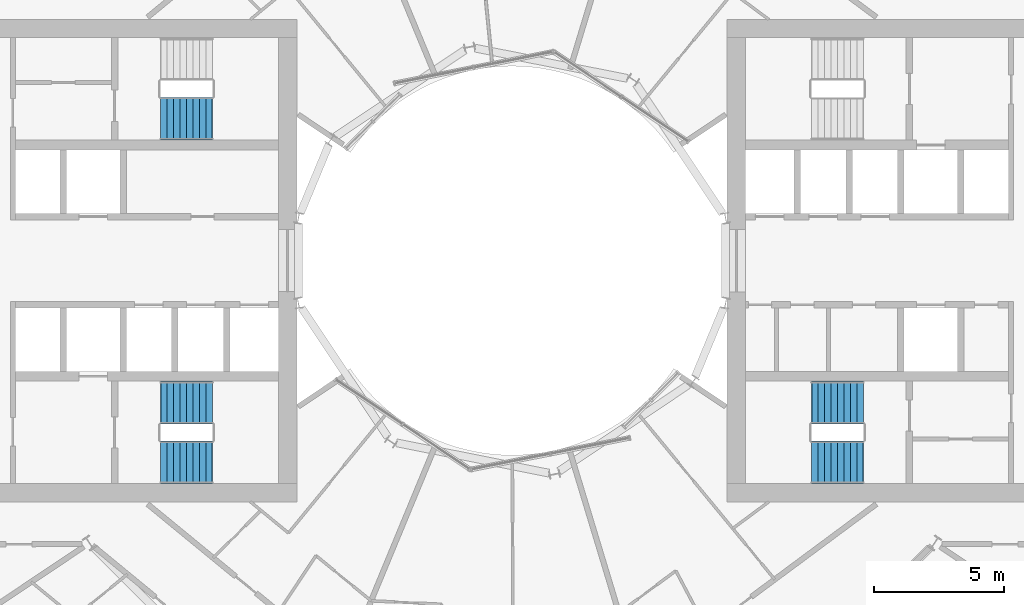
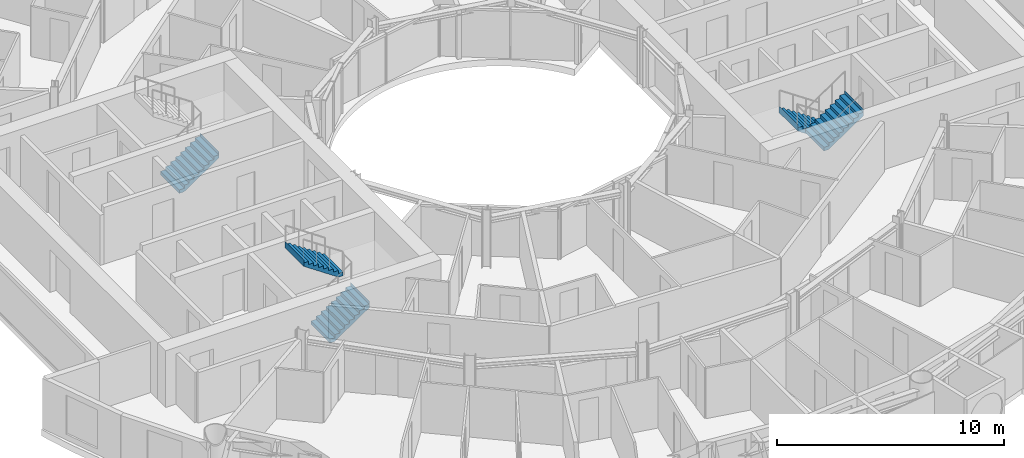
# One storey, part 23 of 26: 5 stair flights, 3 elements without a shape of their own.
"""IFC4 building model written with IfcOpenShell, lengths in metres."""

from ifc_helpers import new_model, si_unit, direction, frame, origin, place, context, subcontext, project, spatial, triangles, material, type_object, element, aggregate, save


model = new_model("IFC4")

# Units and contexts
model_context = context("Model", 3, precision=1e-05, world=origin(), true_north=direction((0.0, 1.0)))
body_context = subcontext(model_context, "Body", "Model", "MODEL_VIEW")
ifc_project = project(units=[si_unit("LENGTHUNIT", "METRE"), si_unit("AREAUNIT", "SQUARE_METRE"), si_unit("VOLUMEUNIT", "CUBIC_METRE"), si_unit("PLANEANGLEUNIT", "RADIAN"), si_unit("MASSUNIT", "GRAM", prefix="KILO")], contexts=[model_context])

# Site, building, storey
site_placement = place(None, origin())
site = spatial("IfcSite", under=ifc_project, at=site_placement, CompositionType="ELEMENT")
building_placement = place(site_placement, origin())
building = spatial("IfcBuilding", under=site, at=building_placement, Name="Maasbend Ring Residences", CompositionType="ELEMENT")
storey_placement = place(building_placement, frame((0.0, 0.0, 72.75)))
storey = spatial("IfcBuildingStorey", under=building, at=storey_placement, Name="L20", CompositionType="ELEMENT", Elevation=72.75)

# Stair, stair flights
ifc_material_1 = material(Name="Concrete C40/50", Category="concrete")
stair_type = type_object("IfcStairType", Name="CORE STAIR 18 RISERS", PredefinedType="HALF_TURN_STAIR", material=ifc_material_1)
stair_1_placement = place(storey_placement, origin())
stair_1 = element("IfcStair", 1, at=stair_1_placement, inside=storey, type_object=stair_type, Name="L20 Exit stair ST-E2", PredefinedType="HALF_TURN_STAIR")
ifc_material_2 = material(Name="Concrete C40/50", Category="concrete")
stair_flight_type = type_object("IfcStairFlightType", Name="CORE STAIR FLIGHT 1650", PredefinedType="STRAIGHT", material=ifc_material_2)
stair_flight_1_placement = place(storey_placement, frame((13.550048828125, -5.47509765625, 0.0), z_axis=(0.0, 0.0, 1.0), x_axis=(-1.0, 0.0, 0.0)))
stair_flight_1 = element("IfcStairFlight", 2, at=stair_flight_1_placement, type_object=stair_flight_type, Name="ST-E2 flight 1", NumberOfRisers=9, NumberOfTreads=8, PredefinedType="STRAIGHT", RiserHeight=0.169444444, TreadLength=0.25, context=body_context, shape_type="Tessellation", body=[
    triangles([(0.24072265625, 0.824951171875, -0.02001953125), (2.0029296875, 0.824951171875, 1.174560546875), (2.0029296875, 0.824951171875, 1.52490234375), (1.989990234375, 0.824951171875, 1.35546875), (1.75, 0.824951171875, 1.35546875), (1.75, 0.824951171875, 1.18603515625), (1.5, 0.824951171875, 1.18603515625), (1.5, 0.824951171875, 1.0166015625), (1.25, 0.824951171875, 1.0166015625), (1.25, 0.824951171875, 0.84716796875), (1.0, 0.824951171875, 0.84716796875), (1.0, 0.824951171875, 0.677734375), (0.75, 0.824951171875, 0.677734375), (0.75, 0.824951171875, 0.50830078125), (0.5, 0.824951171875, 0.50830078125), (0.5, 0.824951171875, 0.3388671875), (0.25, 0.824951171875, 0.3388671875), (0.25, 0.824951171875, 0.16943359375), (0.0, 0.824951171875, 0.16943359375), (0.0, 0.824951171875, 0.0), (-0.0029296875, 0.824951171875, 0.0), (-0.0029296875, 0.824951171875, -0.02001953125), (0.24072265625, 0.27490234375, -0.02001953125), (2.0029296875, 0.27490234375, 1.174560546875), (2.0029296875, 0.27490234375, 1.52490234375), (1.989990234375, 0.27490234375, 1.35546875), (1.75, 0.27490234375, 1.35546875), (1.75, 0.27490234375, 1.18603515625), (1.5, 0.27490234375, 1.18603515625), (1.5, 0.27490234375, 1.0166015625), (1.25, 0.27490234375, 1.0166015625), (1.25, 0.27490234375, 0.84716796875), (1.0, 0.27490234375, 0.84716796875), (1.0, 0.27490234375, 0.677734375), (0.75, 0.27490234375, 0.677734375), (0.75, 0.27490234375, 0.50830078125), (0.5, 0.27490234375, 0.50830078125), (0.5, 0.27490234375, 0.3388671875), (0.25, 0.27490234375, 0.3388671875), (0.25, 0.27490234375, 0.16943359375), (0.0, 0.27490234375, 0.16943359375), (0.0, 0.27490234375, 0.0), (-0.0029296875, 0.27490234375, 0.0), (-0.0029296875, 0.27490234375, -0.02001953125), (0.24072265625, -0.27490234375, -0.02001953125), (2.0029296875, -0.27490234375, 1.174560546875), (2.0029296875, -0.27490234375, 1.52490234375), (1.989990234375, -0.27490234375, 1.35546875), (1.75, -0.27490234375, 1.35546875), (1.75, -0.27490234375, 1.18603515625), (1.5, -0.27490234375, 1.18603515625), (1.5, -0.27490234375, 1.0166015625), (1.25, -0.27490234375, 1.0166015625), (1.25, -0.27490234375, 0.84716796875), (1.0, -0.27490234375, 0.84716796875), (1.0, -0.27490234375, 0.677734375), (0.75, -0.27490234375, 0.677734375), (0.75, -0.27490234375, 0.50830078125), (0.5, -0.27490234375, 0.50830078125), (0.5, -0.27490234375, 0.3388671875), (0.25, -0.27490234375, 0.3388671875), (0.25, -0.27490234375, 0.16943359375), (0.0, -0.27490234375, 0.16943359375), (0.0, -0.27490234375, 0.0), (-0.0029296875, -0.27490234375, 0.0), (-0.0029296875, -0.27490234375, -0.02001953125), (0.24072265625, -0.824951171875, -0.02001953125), (2.0029296875, -0.824951171875, 1.174560546875), (2.0029296875, -0.824951171875, 1.52490234375), (1.989990234375, -0.824951171875, 1.35546875), (1.75, -0.824951171875, 1.35546875), (1.75, -0.824951171875, 1.18603515625), (1.5, -0.824951171875, 1.18603515625), (1.5, -0.824951171875, 1.0166015625), (1.25, -0.824951171875, 1.0166015625), (1.25, -0.824951171875, 0.84716796875), (1.0, -0.824951171875, 0.84716796875), (1.0, -0.824951171875, 0.677734375), (0.75, -0.824951171875, 0.677734375), (0.75, -0.824951171875, 0.50830078125), (0.5, -0.824951171875, 0.50830078125), (0.5, -0.824951171875, 0.3388671875), (0.25, -0.824951171875, 0.3388671875), (0.25, -0.824951171875, 0.16943359375), (0.0, -0.824951171875, 0.16943359375), (0.0, -0.824951171875, 0.0), (-0.0029296875, -0.824951171875, 0.0), (-0.0029296875, -0.824951171875, -0.02001953125)], [[1, 2, 24], [1, 24, 23], [23, 24, 46], [23, 46, 45], [45, 46, 68], [45, 68, 67], [2, 3, 25], [2, 25, 24], [24, 25, 47], [24, 47, 46], [46, 47, 69], [46, 69, 68], [3, 4, 26], [3, 26, 25], [25, 26, 48], [25, 48, 47], [47, 48, 70], [47, 70, 69], [4, 5, 27], [4, 27, 26], [26, 27, 49], [26, 49, 48], [48, 49, 71], [48, 71, 70], [5, 6, 28], [5, 28, 27], [27, 28, 50], [27, 50, 49], [49, 50, 72], [49, 72, 71], [6, 7, 29], [6, 29, 28], [28, 29, 51], [28, 51, 50], [50, 51, 73], [50, 73, 72], [7, 8, 30], [7, 30, 29], [29, 30, 52], [29, 52, 51], [51, 52, 74], [51, 74, 73], [8, 9, 31], [8, 31, 30], [30, 31, 53], [30, 53, 52], [52, 53, 75], [52, 75, 74], [9, 10, 32], [9, 32, 31], [31, 32, 54], [31, 54, 53], [53, 54, 76], [53, 76, 75], [10, 11, 33], [10, 33, 32], [32, 33, 55], [32, 55, 54], [54, 55, 77], [54, 77, 76], [11, 12, 34], [11, 34, 33], [33, 34, 56], [33, 56, 55], [55, 56, 78], [55, 78, 77], [12, 13, 35], [12, 35, 34], [34, 35, 57], [34, 57, 56], [56, 57, 79], [56, 79, 78], [13, 14, 36], [13, 36, 35], [35, 36, 58], [35, 58, 57], [57, 58, 80], [57, 80, 79], [14, 15, 37], [14, 37, 36], [36, 37, 59], [36, 59, 58], [58, 59, 81], [58, 81, 80], [15, 16, 38], [15, 38, 37], [37, 38, 60], [37, 60, 59], [59, 60, 82], [59, 82, 81], [16, 17, 39], [16, 39, 38], [38, 39, 61], [38, 61, 60], [60, 61, 83], [60, 83, 82], [17, 18, 40], [17, 40, 39], [39, 40, 62], [39, 62, 61], [61, 62, 84], [61, 84, 83], [18, 19, 41], [18, 41, 40], [40, 41, 63], [40, 63, 62], [62, 63, 85], [62, 85, 84], [19, 20, 42], [19, 42, 41], [41, 42, 64], [41, 64, 63], [63, 64, 86], [63, 86, 85], [20, 21, 43], [20, 43, 42], [42, 43, 65], [42, 65, 64], [64, 65, 87], [64, 87, 86], [21, 22, 44], [21, 44, 43], [43, 44, 66], [43, 66, 65], [65, 66, 88], [65, 88, 87], [22, 1, 23], [22, 23, 44], [44, 23, 45], [44, 45, 66], [66, 45, 67], [66, 67, 88], [22, 2, 1], [2, 4, 3], [2, 5, 4], [2, 6, 5], [22, 6, 2], [6, 8, 7], [22, 8, 6], [8, 10, 9], [22, 10, 8], [10, 12, 11], [22, 12, 10], [12, 14, 13], [22, 14, 12], [14, 16, 15], [22, 16, 14], [16, 18, 17], [22, 18, 16], [18, 20, 19], [22, 20, 18], [20, 22, 21], [88, 67, 68], [68, 69, 70], [68, 70, 71], [68, 71, 72], [88, 68, 72], [72, 73, 74], [88, 72, 74], [74, 75, 76], [88, 74, 76], [76, 77, 78], [88, 76, 78], [78, 79, 80], [88, 78, 80], [80, 81, 82], [88, 80, 82], [82, 83, 84], [88, 82, 84], [84, 85, 86], [88, 84, 86], [86, 87, 88]], closed=True),
])
stair_flight_2_placement = place(storey_placement, frame((11.550048828125, -7.77490234375, 1.52490234375), z_axis=(0.0, 0.0, 1.0), x_axis=(1.0, 0.0, 0.0)))
stair_flight_2 = element("IfcStairFlight", 3, at=stair_flight_2_placement, type_object=stair_flight_type, Name="ST-E2 flight 2", NumberOfRisers=9, NumberOfTreads=8, PredefinedType="STRAIGHT", RiserHeight=0.169444444, TreadLength=0.25, context=body_context, shape_type="Tessellation", body=[
    triangles([(0.24072265625, 0.824951171875, -0.02001953125), (2.0029296875, 0.824951171875, 1.174560546875), (2.0029296875, 0.824951171875, 1.52490234375), (1.989990234375, 0.824951171875, 1.35546875), (1.75, 0.824951171875, 1.35546875), (1.75, 0.824951171875, 1.18603515625), (1.5, 0.824951171875, 1.18603515625), (1.5, 0.824951171875, 1.0166015625), (1.25, 0.824951171875, 1.0166015625), (1.25, 0.824951171875, 0.84716796875), (1.0, 0.824951171875, 0.84716796875), (1.0, 0.824951171875, 0.677734375), (0.75, 0.824951171875, 0.677734375), (0.75, 0.824951171875, 0.50830078125), (0.5, 0.824951171875, 0.50830078125), (0.5, 0.824951171875, 0.3388671875), (0.25, 0.824951171875, 0.3388671875), (0.25, 0.824951171875, 0.16943359375), (0.0, 0.824951171875, 0.16943359375), (0.0, 0.824951171875, 0.0), (-0.0029296875, 0.824951171875, 0.0), (-0.0029296875, 0.824951171875, -0.02001953125), (0.24072265625, 0.27490234375, -0.02001953125), (2.0029296875, 0.27490234375, 1.174560546875), (2.0029296875, 0.27490234375, 1.52490234375), (1.989990234375, 0.27490234375, 1.35546875), (1.75, 0.27490234375, 1.35546875), (1.75, 0.27490234375, 1.18603515625), (1.5, 0.27490234375, 1.18603515625), (1.5, 0.27490234375, 1.0166015625), (1.25, 0.27490234375, 1.0166015625), (1.25, 0.27490234375, 0.84716796875), (1.0, 0.27490234375, 0.84716796875), (1.0, 0.27490234375, 0.677734375), (0.75, 0.27490234375, 0.677734375), (0.75, 0.27490234375, 0.50830078125), (0.5, 0.27490234375, 0.50830078125), (0.5, 0.27490234375, 0.3388671875), (0.25, 0.27490234375, 0.3388671875), (0.25, 0.27490234375, 0.16943359375), (0.0, 0.27490234375, 0.16943359375), (0.0, 0.27490234375, 0.0), (-0.0029296875, 0.27490234375, 0.0), (-0.0029296875, 0.27490234375, -0.02001953125), (0.24072265625, -0.27490234375, -0.02001953125), (2.0029296875, -0.27490234375, 1.174560546875), (2.0029296875, -0.27490234375, 1.52490234375), (1.989990234375, -0.27490234375, 1.35546875), (1.75, -0.27490234375, 1.35546875), (1.75, -0.27490234375, 1.18603515625), (1.5, -0.27490234375, 1.18603515625), (1.5, -0.27490234375, 1.0166015625), (1.25, -0.27490234375, 1.0166015625), (1.25, -0.27490234375, 0.84716796875), (1.0, -0.27490234375, 0.84716796875), (1.0, -0.27490234375, 0.677734375), (0.75, -0.27490234375, 0.677734375), (0.75, -0.27490234375, 0.50830078125), (0.5, -0.27490234375, 0.50830078125), (0.5, -0.27490234375, 0.3388671875), (0.25, -0.27490234375, 0.3388671875), (0.25, -0.27490234375, 0.16943359375), (0.0, -0.27490234375, 0.16943359375), (0.0, -0.27490234375, 0.0), (-0.0029296875, -0.27490234375, 0.0), (-0.0029296875, -0.27490234375, -0.02001953125), (0.24072265625, -0.824951171875, -0.02001953125), (2.0029296875, -0.824951171875, 1.174560546875), (2.0029296875, -0.824951171875, 1.52490234375), (1.989990234375, -0.824951171875, 1.35546875), (1.75, -0.824951171875, 1.35546875), (1.75, -0.824951171875, 1.18603515625), (1.5, -0.824951171875, 1.18603515625), (1.5, -0.824951171875, 1.0166015625), (1.25, -0.824951171875, 1.0166015625), (1.25, -0.824951171875, 0.84716796875), (1.0, -0.824951171875, 0.84716796875), (1.0, -0.824951171875, 0.677734375), (0.75, -0.824951171875, 0.677734375), (0.75, -0.824951171875, 0.50830078125), (0.5, -0.824951171875, 0.50830078125), (0.5, -0.824951171875, 0.3388671875), (0.25, -0.824951171875, 0.3388671875), (0.25, -0.824951171875, 0.16943359375), (0.0, -0.824951171875, 0.16943359375), (0.0, -0.824951171875, 0.0), (-0.0029296875, -0.824951171875, 0.0), (-0.0029296875, -0.824951171875, -0.02001953125)], [[1, 2, 24], [1, 24, 23], [23, 24, 46], [23, 46, 45], [45, 46, 68], [45, 68, 67], [2, 3, 25], [2, 25, 24], [24, 25, 47], [24, 47, 46], [46, 47, 69], [46, 69, 68], [3, 4, 26], [3, 26, 25], [25, 26, 48], [25, 48, 47], [47, 48, 70], [47, 70, 69], [4, 5, 27], [4, 27, 26], [26, 27, 49], [26, 49, 48], [48, 49, 71], [48, 71, 70], [5, 6, 28], [5, 28, 27], [27, 28, 50], [27, 50, 49], [49, 50, 72], [49, 72, 71], [6, 7, 29], [6, 29, 28], [28, 29, 51], [28, 51, 50], [50, 51, 73], [50, 73, 72], [7, 8, 30], [7, 30, 29], [29, 30, 52], [29, 52, 51], [51, 52, 74], [51, 74, 73], [8, 9, 31], [8, 31, 30], [30, 31, 53], [30, 53, 52], [52, 53, 75], [52, 75, 74], [9, 10, 32], [9, 32, 31], [31, 32, 54], [31, 54, 53], [53, 54, 76], [53, 76, 75], [10, 11, 33], [10, 33, 32], [32, 33, 55], [32, 55, 54], [54, 55, 77], [54, 77, 76], [11, 12, 34], [11, 34, 33], [33, 34, 56], [33, 56, 55], [55, 56, 78], [55, 78, 77], [12, 13, 35], [12, 35, 34], [34, 35, 57], [34, 57, 56], [56, 57, 79], [56, 79, 78], [13, 14, 36], [13, 36, 35], [35, 36, 58], [35, 58, 57], [57, 58, 80], [57, 80, 79], [14, 15, 37], [14, 37, 36], [36, 37, 59], [36, 59, 58], [58, 59, 81], [58, 81, 80], [15, 16, 38], [15, 38, 37], [37, 38, 60], [37, 60, 59], [59, 60, 82], [59, 82, 81], [16, 17, 39], [16, 39, 38], [38, 39, 61], [38, 61, 60], [60, 61, 83], [60, 83, 82], [17, 18, 40], [17, 40, 39], [39, 40, 62], [39, 62, 61], [61, 62, 84], [61, 84, 83], [18, 19, 41], [18, 41, 40], [40, 41, 63], [40, 63, 62], [62, 63, 85], [62, 85, 84], [19, 20, 42], [19, 42, 41], [41, 42, 64], [41, 64, 63], [63, 64, 86], [63, 86, 85], [20, 21, 43], [20, 43, 42], [42, 43, 65], [42, 65, 64], [64, 65, 87], [64, 87, 86], [21, 22, 44], [21, 44, 43], [43, 44, 66], [43, 66, 65], [65, 66, 88], [65, 88, 87], [22, 1, 23], [22, 23, 44], [44, 23, 45], [44, 45, 66], [66, 45, 67], [66, 67, 88], [22, 2, 1], [2, 4, 3], [2, 5, 4], [2, 6, 5], [22, 6, 2], [6, 8, 7], [22, 8, 6], [8, 10, 9], [22, 10, 8], [10, 12, 11], [22, 12, 10], [12, 14, 13], [22, 14, 12], [14, 16, 15], [22, 16, 14], [16, 18, 17], [22, 18, 16], [18, 20, 19], [22, 20, 18], [20, 22, 21], [88, 67, 68], [68, 69, 70], [68, 70, 71], [68, 71, 72], [88, 68, 72], [72, 73, 74], [88, 72, 74], [74, 75, 76], [88, 74, 76], [76, 77, 78], [88, 76, 78], [78, 79, 80], [88, 78, 80], [80, 81, 82], [88, 80, 82], [82, 83, 84], [88, 82, 84], [84, 85, 86], [88, 84, 86], [86, 87, 88]], closed=True),
])
aggregate(stair_1, [stair_flight_1, stair_flight_2])

stair_2_placement = place(storey_placement, origin())
stair_2 = element("IfcStair", 4, at=stair_2_placement, inside=storey, type_object=stair_type, Name="L20 Exit stair ST-W1", PredefinedType="HALF_TURN_STAIR")
stair_flight_3_placement = place(storey_placement, frame((-13.550048828125, -7.77490234375, 0.0), z_axis=(0.0, 0.0, 1.0), x_axis=(1.0, 0.0, 0.0)))
stair_flight_3 = element("IfcStairFlight", 5, at=stair_flight_3_placement, type_object=stair_flight_type, Name="ST-W1 flight 1", NumberOfRisers=9, NumberOfTreads=8, PredefinedType="STRAIGHT", RiserHeight=0.169444444, TreadLength=0.25, context=body_context, shape_type="Tessellation", body=[
    triangles([(0.24072265625, 0.824951171875, -0.02001953125), (2.0029296875, 0.824951171875, 1.174560546875), (2.0029296875, 0.824951171875, 1.52490234375), (1.989990234375, 0.824951171875, 1.35546875), (1.75, 0.824951171875, 1.35546875), (1.75, 0.824951171875, 1.18603515625), (1.5, 0.824951171875, 1.18603515625), (1.5, 0.824951171875, 1.0166015625), (1.25, 0.824951171875, 1.0166015625), (1.25, 0.824951171875, 0.84716796875), (1.0, 0.824951171875, 0.84716796875), (1.0, 0.824951171875, 0.677734375), (0.75, 0.824951171875, 0.677734375), (0.75, 0.824951171875, 0.50830078125), (0.5, 0.824951171875, 0.50830078125), (0.5, 0.824951171875, 0.3388671875), (0.25, 0.824951171875, 0.3388671875), (0.25, 0.824951171875, 0.16943359375), (0.0, 0.824951171875, 0.16943359375), (0.0, 0.824951171875, 0.0), (-0.0029296875, 0.824951171875, 0.0), (-0.0029296875, 0.824951171875, -0.02001953125), (0.24072265625, 0.27490234375, -0.02001953125), (2.0029296875, 0.27490234375, 1.174560546875), (2.0029296875, 0.27490234375, 1.52490234375), (1.989990234375, 0.27490234375, 1.35546875), (1.75, 0.27490234375, 1.35546875), (1.75, 0.27490234375, 1.18603515625), (1.5, 0.27490234375, 1.18603515625), (1.5, 0.27490234375, 1.0166015625), (1.25, 0.27490234375, 1.0166015625), (1.25, 0.27490234375, 0.84716796875), (1.0, 0.27490234375, 0.84716796875), (1.0, 0.27490234375, 0.677734375), (0.75, 0.27490234375, 0.677734375), (0.75, 0.27490234375, 0.50830078125), (0.5, 0.27490234375, 0.50830078125), (0.5, 0.27490234375, 0.3388671875), (0.25, 0.27490234375, 0.3388671875), (0.25, 0.27490234375, 0.16943359375), (0.0, 0.27490234375, 0.16943359375), (0.0, 0.27490234375, 0.0), (-0.0029296875, 0.27490234375, 0.0), (-0.0029296875, 0.27490234375, -0.02001953125), (0.24072265625, -0.27490234375, -0.02001953125), (2.0029296875, -0.27490234375, 1.174560546875), (2.0029296875, -0.27490234375, 1.52490234375), (1.989990234375, -0.27490234375, 1.35546875), (1.75, -0.27490234375, 1.35546875), (1.75, -0.27490234375, 1.18603515625), (1.5, -0.27490234375, 1.18603515625), (1.5, -0.27490234375, 1.0166015625), (1.25, -0.27490234375, 1.0166015625), (1.25, -0.27490234375, 0.84716796875), (1.0, -0.27490234375, 0.84716796875), (1.0, -0.27490234375, 0.677734375), (0.75, -0.27490234375, 0.677734375), (0.75, -0.27490234375, 0.50830078125), (0.5, -0.27490234375, 0.50830078125), (0.5, -0.27490234375, 0.3388671875), (0.25, -0.27490234375, 0.3388671875), (0.25, -0.27490234375, 0.16943359375), (0.0, -0.27490234375, 0.16943359375), (0.0, -0.27490234375, 0.0), (-0.0029296875, -0.27490234375, 0.0), (-0.0029296875, -0.27490234375, -0.02001953125), (0.24072265625, -0.824951171875, -0.02001953125), (2.0029296875, -0.824951171875, 1.174560546875), (2.0029296875, -0.824951171875, 1.52490234375), (1.989990234375, -0.824951171875, 1.35546875), (1.75, -0.824951171875, 1.35546875), (1.75, -0.824951171875, 1.18603515625), (1.5, -0.824951171875, 1.18603515625), (1.5, -0.824951171875, 1.0166015625), (1.25, -0.824951171875, 1.0166015625), (1.25, -0.824951171875, 0.84716796875), (1.0, -0.824951171875, 0.84716796875), (1.0, -0.824951171875, 0.677734375), (0.75, -0.824951171875, 0.677734375), (0.75, -0.824951171875, 0.50830078125), (0.5, -0.824951171875, 0.50830078125), (0.5, -0.824951171875, 0.3388671875), (0.25, -0.824951171875, 0.3388671875), (0.25, -0.824951171875, 0.16943359375), (0.0, -0.824951171875, 0.16943359375), (0.0, -0.824951171875, 0.0), (-0.0029296875, -0.824951171875, 0.0), (-0.0029296875, -0.824951171875, -0.02001953125)], [[1, 2, 24], [1, 24, 23], [23, 24, 46], [23, 46, 45], [45, 46, 68], [45, 68, 67], [2, 3, 25], [2, 25, 24], [24, 25, 47], [24, 47, 46], [46, 47, 69], [46, 69, 68], [3, 4, 26], [3, 26, 25], [25, 26, 48], [25, 48, 47], [47, 48, 70], [47, 70, 69], [4, 5, 27], [4, 27, 26], [26, 27, 49], [26, 49, 48], [48, 49, 71], [48, 71, 70], [5, 6, 28], [5, 28, 27], [27, 28, 50], [27, 50, 49], [49, 50, 72], [49, 72, 71], [6, 7, 29], [6, 29, 28], [28, 29, 51], [28, 51, 50], [50, 51, 73], [50, 73, 72], [7, 8, 30], [7, 30, 29], [29, 30, 52], [29, 52, 51], [51, 52, 74], [51, 74, 73], [8, 9, 31], [8, 31, 30], [30, 31, 53], [30, 53, 52], [52, 53, 75], [52, 75, 74], [9, 10, 32], [9, 32, 31], [31, 32, 54], [31, 54, 53], [53, 54, 76], [53, 76, 75], [10, 11, 33], [10, 33, 32], [32, 33, 55], [32, 55, 54], [54, 55, 77], [54, 77, 76], [11, 12, 34], [11, 34, 33], [33, 34, 56], [33, 56, 55], [55, 56, 78], [55, 78, 77], [12, 13, 35], [12, 35, 34], [34, 35, 57], [34, 57, 56], [56, 57, 79], [56, 79, 78], [13, 14, 36], [13, 36, 35], [35, 36, 58], [35, 58, 57], [57, 58, 80], [57, 80, 79], [14, 15, 37], [14, 37, 36], [36, 37, 59], [36, 59, 58], [58, 59, 81], [58, 81, 80], [15, 16, 38], [15, 38, 37], [37, 38, 60], [37, 60, 59], [59, 60, 82], [59, 82, 81], [16, 17, 39], [16, 39, 38], [38, 39, 61], [38, 61, 60], [60, 61, 83], [60, 83, 82], [17, 18, 40], [17, 40, 39], [39, 40, 62], [39, 62, 61], [61, 62, 84], [61, 84, 83], [18, 19, 41], [18, 41, 40], [40, 41, 63], [40, 63, 62], [62, 63, 85], [62, 85, 84], [19, 20, 42], [19, 42, 41], [41, 42, 64], [41, 64, 63], [63, 64, 86], [63, 86, 85], [20, 21, 43], [20, 43, 42], [42, 43, 65], [42, 65, 64], [64, 65, 87], [64, 87, 86], [21, 22, 44], [21, 44, 43], [43, 44, 66], [43, 66, 65], [65, 66, 88], [65, 88, 87], [22, 1, 23], [22, 23, 44], [44, 23, 45], [44, 45, 66], [66, 45, 67], [66, 67, 88], [22, 2, 1], [2, 4, 3], [2, 5, 4], [2, 6, 5], [22, 6, 2], [6, 8, 7], [22, 8, 6], [8, 10, 9], [22, 10, 8], [10, 12, 11], [22, 12, 10], [12, 14, 13], [22, 14, 12], [14, 16, 15], [22, 16, 14], [16, 18, 17], [22, 18, 16], [18, 20, 19], [22, 20, 18], [20, 22, 21], [88, 67, 68], [68, 69, 70], [68, 70, 71], [68, 71, 72], [88, 68, 72], [72, 73, 74], [88, 72, 74], [74, 75, 76], [88, 74, 76], [76, 77, 78], [88, 76, 78], [78, 79, 80], [88, 78, 80], [80, 81, 82], [88, 80, 82], [82, 83, 84], [88, 82, 84], [84, 85, 86], [88, 84, 86], [86, 87, 88]], closed=True),
])
stair_flight_4_placement = place(storey_placement, frame((-11.550048828125, -5.47509765625, 1.52490234375), z_axis=(0.0, 0.0, 1.0), x_axis=(-1.0, 0.0, 0.0)))
stair_flight_4 = element("IfcStairFlight", 6, at=stair_flight_4_placement, type_object=stair_flight_type, Name="ST-W1 flight 2", NumberOfRisers=9, NumberOfTreads=8, PredefinedType="STRAIGHT", RiserHeight=0.169444444, TreadLength=0.25, context=body_context, shape_type="Tessellation", body=[
    triangles([(0.24072265625, 0.824951171875, -0.02001953125), (2.0029296875, 0.824951171875, 1.174560546875), (2.0029296875, 0.824951171875, 1.52490234375), (1.989990234375, 0.824951171875, 1.35546875), (1.75, 0.824951171875, 1.35546875), (1.75, 0.824951171875, 1.18603515625), (1.5, 0.824951171875, 1.18603515625), (1.5, 0.824951171875, 1.0166015625), (1.25, 0.824951171875, 1.0166015625), (1.25, 0.824951171875, 0.84716796875), (1.0, 0.824951171875, 0.84716796875), (1.0, 0.824951171875, 0.677734375), (0.75, 0.824951171875, 0.677734375), (0.75, 0.824951171875, 0.50830078125), (0.5, 0.824951171875, 0.50830078125), (0.5, 0.824951171875, 0.3388671875), (0.25, 0.824951171875, 0.3388671875), (0.25, 0.824951171875, 0.16943359375), (0.0, 0.824951171875, 0.16943359375), (0.0, 0.824951171875, 0.0), (-0.0029296875, 0.824951171875, 0.0), (-0.0029296875, 0.824951171875, -0.02001953125), (0.24072265625, 0.27490234375, -0.02001953125), (2.0029296875, 0.27490234375, 1.174560546875), (2.0029296875, 0.27490234375, 1.52490234375), (1.989990234375, 0.27490234375, 1.35546875), (1.75, 0.27490234375, 1.35546875), (1.75, 0.27490234375, 1.18603515625), (1.5, 0.27490234375, 1.18603515625), (1.5, 0.27490234375, 1.0166015625), (1.25, 0.27490234375, 1.0166015625), (1.25, 0.27490234375, 0.84716796875), (1.0, 0.27490234375, 0.84716796875), (1.0, 0.27490234375, 0.677734375), (0.75, 0.27490234375, 0.677734375), (0.75, 0.27490234375, 0.50830078125), (0.5, 0.27490234375, 0.50830078125), (0.5, 0.27490234375, 0.3388671875), (0.25, 0.27490234375, 0.3388671875), (0.25, 0.27490234375, 0.16943359375), (0.0, 0.27490234375, 0.16943359375), (0.0, 0.27490234375, 0.0), (-0.0029296875, 0.27490234375, 0.0), (-0.0029296875, 0.27490234375, -0.02001953125), (0.24072265625, -0.27490234375, -0.02001953125), (2.0029296875, -0.27490234375, 1.174560546875), (2.0029296875, -0.27490234375, 1.52490234375), (1.989990234375, -0.27490234375, 1.35546875), (1.75, -0.27490234375, 1.35546875), (1.75, -0.27490234375, 1.18603515625), (1.5, -0.27490234375, 1.18603515625), (1.5, -0.27490234375, 1.0166015625), (1.25, -0.27490234375, 1.0166015625), (1.25, -0.27490234375, 0.84716796875), (1.0, -0.27490234375, 0.84716796875), (1.0, -0.27490234375, 0.677734375), (0.75, -0.27490234375, 0.677734375), (0.75, -0.27490234375, 0.50830078125), (0.5, -0.27490234375, 0.50830078125), (0.5, -0.27490234375, 0.3388671875), (0.25, -0.27490234375, 0.3388671875), (0.25, -0.27490234375, 0.16943359375), (0.0, -0.27490234375, 0.16943359375), (0.0, -0.27490234375, 0.0), (-0.0029296875, -0.27490234375, 0.0), (-0.0029296875, -0.27490234375, -0.02001953125), (0.24072265625, -0.824951171875, -0.02001953125), (2.0029296875, -0.824951171875, 1.174560546875), (2.0029296875, -0.824951171875, 1.52490234375), (1.989990234375, -0.824951171875, 1.35546875), (1.75, -0.824951171875, 1.35546875), (1.75, -0.824951171875, 1.18603515625), (1.5, -0.824951171875, 1.18603515625), (1.5, -0.824951171875, 1.0166015625), (1.25, -0.824951171875, 1.0166015625), (1.25, -0.824951171875, 0.84716796875), (1.0, -0.824951171875, 0.84716796875), (1.0, -0.824951171875, 0.677734375), (0.75, -0.824951171875, 0.677734375), (0.75, -0.824951171875, 0.50830078125), (0.5, -0.824951171875, 0.50830078125), (0.5, -0.824951171875, 0.3388671875), (0.25, -0.824951171875, 0.3388671875), (0.25, -0.824951171875, 0.16943359375), (0.0, -0.824951171875, 0.16943359375), (0.0, -0.824951171875, 0.0), (-0.0029296875, -0.824951171875, 0.0), (-0.0029296875, -0.824951171875, -0.02001953125)], [[1, 2, 24], [1, 24, 23], [23, 24, 46], [23, 46, 45], [45, 46, 68], [45, 68, 67], [2, 3, 25], [2, 25, 24], [24, 25, 47], [24, 47, 46], [46, 47, 69], [46, 69, 68], [3, 4, 26], [3, 26, 25], [25, 26, 48], [25, 48, 47], [47, 48, 70], [47, 70, 69], [4, 5, 27], [4, 27, 26], [26, 27, 49], [26, 49, 48], [48, 49, 71], [48, 71, 70], [5, 6, 28], [5, 28, 27], [27, 28, 50], [27, 50, 49], [49, 50, 72], [49, 72, 71], [6, 7, 29], [6, 29, 28], [28, 29, 51], [28, 51, 50], [50, 51, 73], [50, 73, 72], [7, 8, 30], [7, 30, 29], [29, 30, 52], [29, 52, 51], [51, 52, 74], [51, 74, 73], [8, 9, 31], [8, 31, 30], [30, 31, 53], [30, 53, 52], [52, 53, 75], [52, 75, 74], [9, 10, 32], [9, 32, 31], [31, 32, 54], [31, 54, 53], [53, 54, 76], [53, 76, 75], [10, 11, 33], [10, 33, 32], [32, 33, 55], [32, 55, 54], [54, 55, 77], [54, 77, 76], [11, 12, 34], [11, 34, 33], [33, 34, 56], [33, 56, 55], [55, 56, 78], [55, 78, 77], [12, 13, 35], [12, 35, 34], [34, 35, 57], [34, 57, 56], [56, 57, 79], [56, 79, 78], [13, 14, 36], [13, 36, 35], [35, 36, 58], [35, 58, 57], [57, 58, 80], [57, 80, 79], [14, 15, 37], [14, 37, 36], [36, 37, 59], [36, 59, 58], [58, 59, 81], [58, 81, 80], [15, 16, 38], [15, 38, 37], [37, 38, 60], [37, 60, 59], [59, 60, 82], [59, 82, 81], [16, 17, 39], [16, 39, 38], [38, 39, 61], [38, 61, 60], [60, 61, 83], [60, 83, 82], [17, 18, 40], [17, 40, 39], [39, 40, 62], [39, 62, 61], [61, 62, 84], [61, 84, 83], [18, 19, 41], [18, 41, 40], [40, 41, 63], [40, 63, 62], [62, 63, 85], [62, 85, 84], [19, 20, 42], [19, 42, 41], [41, 42, 64], [41, 64, 63], [63, 64, 86], [63, 86, 85], [20, 21, 43], [20, 43, 42], [42, 43, 65], [42, 65, 64], [64, 65, 87], [64, 87, 86], [21, 22, 44], [21, 44, 43], [43, 44, 66], [43, 66, 65], [65, 66, 88], [65, 88, 87], [22, 1, 23], [22, 23, 44], [44, 23, 45], [44, 45, 66], [66, 45, 67], [66, 67, 88], [22, 2, 1], [2, 4, 3], [2, 5, 4], [2, 6, 5], [22, 6, 2], [6, 8, 7], [22, 8, 6], [8, 10, 9], [22, 10, 8], [10, 12, 11], [22, 12, 10], [12, 14, 13], [22, 14, 12], [14, 16, 15], [22, 16, 14], [16, 18, 17], [22, 18, 16], [18, 20, 19], [22, 20, 18], [20, 22, 21], [88, 67, 68], [68, 69, 70], [68, 70, 71], [68, 71, 72], [88, 68, 72], [72, 73, 74], [88, 72, 74], [74, 75, 76], [88, 74, 76], [76, 77, 78], [88, 76, 78], [78, 79, 80], [88, 78, 80], [80, 81, 82], [88, 80, 82], [82, 83, 84], [88, 82, 84], [84, 85, 86], [88, 84, 86], [86, 87, 88]], closed=True),
])
aggregate(stair_2, [stair_flight_3, stair_flight_4])

# Stair, stair flight
stair_3_placement = place(storey_placement, origin())
stair_3 = element("IfcStair", 7, at=stair_3_placement, inside=storey, type_object=stair_type, Name="L20 Exit stair ST-W2", PredefinedType="HALF_TURN_STAIR")
stair_flight_5_placement = place(storey_placement, frame((-13.550048828125, 5.47509765625, 0.0), z_axis=(0.0, 0.0, 1.0), x_axis=(1.0, 0.0, 0.0)))
stair_flight_5 = element("IfcStairFlight", 8, at=stair_flight_5_placement, type_object=stair_flight_type, Name="ST-W2 flight 1", NumberOfRisers=9, NumberOfTreads=8, PredefinedType="STRAIGHT", RiserHeight=0.169444444, TreadLength=0.25, context=body_context, shape_type="Tessellation", body=[
    triangles([(0.24072265625, 0.824951171875, -0.02001953125), (2.0029296875, 0.824951171875, 1.174560546875), (2.0029296875, 0.824951171875, 1.52490234375), (1.989990234375, 0.824951171875, 1.35546875), (1.75, 0.824951171875, 1.35546875), (1.75, 0.824951171875, 1.18603515625), (1.5, 0.824951171875, 1.18603515625), (1.5, 0.824951171875, 1.0166015625), (1.25, 0.824951171875, 1.0166015625), (1.25, 0.824951171875, 0.84716796875), (1.0, 0.824951171875, 0.84716796875), (1.0, 0.824951171875, 0.677734375), (0.75, 0.824951171875, 0.677734375), (0.75, 0.824951171875, 0.50830078125), (0.5, 0.824951171875, 0.50830078125), (0.5, 0.824951171875, 0.3388671875), (0.25, 0.824951171875, 0.3388671875), (0.25, 0.824951171875, 0.16943359375), (0.0, 0.824951171875, 0.16943359375), (0.0, 0.824951171875, 0.0), (-0.0029296875, 0.824951171875, 0.0), (-0.0029296875, 0.824951171875, -0.02001953125), (0.24072265625, 0.27490234375, -0.02001953125), (2.0029296875, 0.27490234375, 1.174560546875), (2.0029296875, 0.27490234375, 1.52490234375), (1.989990234375, 0.27490234375, 1.35546875), (1.75, 0.27490234375, 1.35546875), (1.75, 0.27490234375, 1.18603515625), (1.5, 0.27490234375, 1.18603515625), (1.5, 0.27490234375, 1.0166015625), (1.25, 0.27490234375, 1.0166015625), (1.25, 0.27490234375, 0.84716796875), (1.0, 0.27490234375, 0.84716796875), (1.0, 0.27490234375, 0.677734375), (0.75, 0.27490234375, 0.677734375), (0.75, 0.27490234375, 0.50830078125), (0.5, 0.27490234375, 0.50830078125), (0.5, 0.27490234375, 0.3388671875), (0.25, 0.27490234375, 0.3388671875), (0.25, 0.27490234375, 0.16943359375), (0.0, 0.27490234375, 0.16943359375), (0.0, 0.27490234375, 0.0), (-0.0029296875, 0.27490234375, 0.0), (-0.0029296875, 0.27490234375, -0.02001953125), (0.24072265625, -0.27490234375, -0.02001953125), (2.0029296875, -0.27490234375, 1.174560546875), (2.0029296875, -0.27490234375, 1.52490234375), (1.989990234375, -0.27490234375, 1.35546875), (1.75, -0.27490234375, 1.35546875), (1.75, -0.27490234375, 1.18603515625), (1.5, -0.27490234375, 1.18603515625), (1.5, -0.27490234375, 1.0166015625), (1.25, -0.27490234375, 1.0166015625), (1.25, -0.27490234375, 0.84716796875), (1.0, -0.27490234375, 0.84716796875), (1.0, -0.27490234375, 0.677734375), (0.75, -0.27490234375, 0.677734375), (0.75, -0.27490234375, 0.50830078125), (0.5, -0.27490234375, 0.50830078125), (0.5, -0.27490234375, 0.3388671875), (0.25, -0.27490234375, 0.3388671875), (0.25, -0.27490234375, 0.16943359375), (0.0, -0.27490234375, 0.16943359375), (0.0, -0.27490234375, 0.0), (-0.0029296875, -0.27490234375, 0.0), (-0.0029296875, -0.27490234375, -0.02001953125), (0.24072265625, -0.824951171875, -0.02001953125), (2.0029296875, -0.824951171875, 1.174560546875), (2.0029296875, -0.824951171875, 1.52490234375), (1.989990234375, -0.824951171875, 1.35546875), (1.75, -0.824951171875, 1.35546875), (1.75, -0.824951171875, 1.18603515625), (1.5, -0.824951171875, 1.18603515625), (1.5, -0.824951171875, 1.0166015625), (1.25, -0.824951171875, 1.0166015625), (1.25, -0.824951171875, 0.84716796875), (1.0, -0.824951171875, 0.84716796875), (1.0, -0.824951171875, 0.677734375), (0.75, -0.824951171875, 0.677734375), (0.75, -0.824951171875, 0.50830078125), (0.5, -0.824951171875, 0.50830078125), (0.5, -0.824951171875, 0.3388671875), (0.25, -0.824951171875, 0.3388671875), (0.25, -0.824951171875, 0.16943359375), (0.0, -0.824951171875, 0.16943359375), (0.0, -0.824951171875, 0.0), (-0.0029296875, -0.824951171875, 0.0), (-0.0029296875, -0.824951171875, -0.02001953125)], [[1, 2, 24], [1, 24, 23], [23, 24, 46], [23, 46, 45], [45, 46, 68], [45, 68, 67], [2, 3, 25], [2, 25, 24], [24, 25, 47], [24, 47, 46], [46, 47, 69], [46, 69, 68], [3, 4, 26], [3, 26, 25], [25, 26, 48], [25, 48, 47], [47, 48, 70], [47, 70, 69], [4, 5, 27], [4, 27, 26], [26, 27, 49], [26, 49, 48], [48, 49, 71], [48, 71, 70], [5, 6, 28], [5, 28, 27], [27, 28, 50], [27, 50, 49], [49, 50, 72], [49, 72, 71], [6, 7, 29], [6, 29, 28], [28, 29, 51], [28, 51, 50], [50, 51, 73], [50, 73, 72], [7, 8, 30], [7, 30, 29], [29, 30, 52], [29, 52, 51], [51, 52, 74], [51, 74, 73], [8, 9, 31], [8, 31, 30], [30, 31, 53], [30, 53, 52], [52, 53, 75], [52, 75, 74], [9, 10, 32], [9, 32, 31], [31, 32, 54], [31, 54, 53], [53, 54, 76], [53, 76, 75], [10, 11, 33], [10, 33, 32], [32, 33, 55], [32, 55, 54], [54, 55, 77], [54, 77, 76], [11, 12, 34], [11, 34, 33], [33, 34, 56], [33, 56, 55], [55, 56, 78], [55, 78, 77], [12, 13, 35], [12, 35, 34], [34, 35, 57], [34, 57, 56], [56, 57, 79], [56, 79, 78], [13, 14, 36], [13, 36, 35], [35, 36, 58], [35, 58, 57], [57, 58, 80], [57, 80, 79], [14, 15, 37], [14, 37, 36], [36, 37, 59], [36, 59, 58], [58, 59, 81], [58, 81, 80], [15, 16, 38], [15, 38, 37], [37, 38, 60], [37, 60, 59], [59, 60, 82], [59, 82, 81], [16, 17, 39], [16, 39, 38], [38, 39, 61], [38, 61, 60], [60, 61, 83], [60, 83, 82], [17, 18, 40], [17, 40, 39], [39, 40, 62], [39, 62, 61], [61, 62, 84], [61, 84, 83], [18, 19, 41], [18, 41, 40], [40, 41, 63], [40, 63, 62], [62, 63, 85], [62, 85, 84], [19, 20, 42], [19, 42, 41], [41, 42, 64], [41, 64, 63], [63, 64, 86], [63, 86, 85], [20, 21, 43], [20, 43, 42], [42, 43, 65], [42, 65, 64], [64, 65, 87], [64, 87, 86], [21, 22, 44], [21, 44, 43], [43, 44, 66], [43, 66, 65], [65, 66, 88], [65, 88, 87], [22, 1, 23], [22, 23, 44], [44, 23, 45], [44, 45, 66], [66, 45, 67], [66, 67, 88], [22, 2, 1], [2, 4, 3], [2, 5, 4], [2, 6, 5], [22, 6, 2], [6, 8, 7], [22, 8, 6], [8, 10, 9], [22, 10, 8], [10, 12, 11], [22, 12, 10], [12, 14, 13], [22, 14, 12], [14, 16, 15], [22, 16, 14], [16, 18, 17], [22, 18, 16], [18, 20, 19], [22, 20, 18], [20, 22, 21], [88, 67, 68], [68, 69, 70], [68, 70, 71], [68, 71, 72], [88, 68, 72], [72, 73, 74], [88, 72, 74], [74, 75, 76], [88, 74, 76], [76, 77, 78], [88, 76, 78], [78, 79, 80], [88, 78, 80], [80, 81, 82], [88, 80, 82], [82, 83, 84], [88, 82, 84], [84, 85, 86], [88, 84, 86], [86, 87, 88]], closed=True),
])
aggregate(stair_3, [stair_flight_5])

save(model, "model.ifc")
